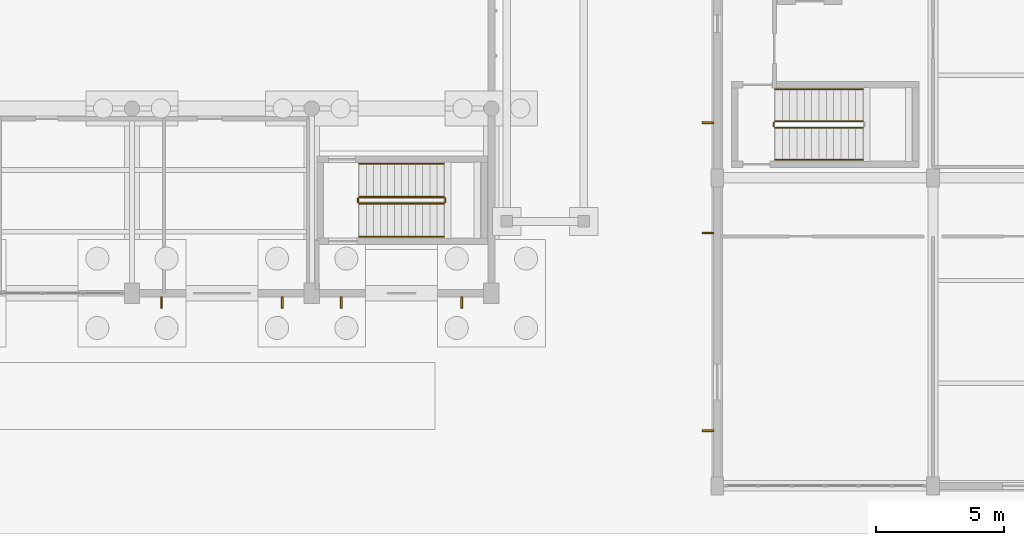
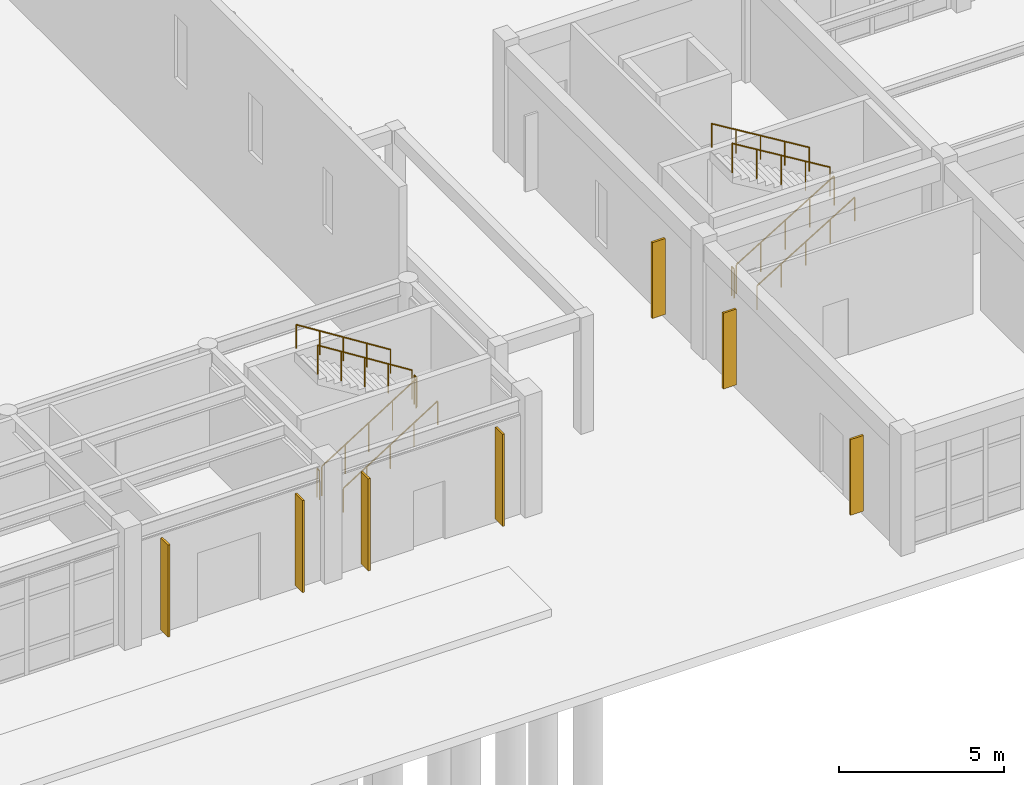
# One storey, part 136 of 154: 11 railings, 7 shading devices.
"""IFC4 building model written with IfcOpenShell, lengths in metres."""

from ifc_helpers import new_model, si_unit, direction, frame, origin, origin_2d, place, context, subcontext, project, spatial, rectangle, circle, extrude, material, layer, layer_set, type_object, element, save


model = new_model("IFC4")

# Units and contexts
model_context = context("Model", 3, precision=1e-05, world=origin(), true_north=direction((0.0, 1.0)))
body_context = subcontext(model_context, "Body", "Model", "MODEL_VIEW")
ifc_project = project(units=[si_unit("LENGTHUNIT", "METRE"), si_unit("AREAUNIT", "SQUARE_METRE"), si_unit("VOLUMEUNIT", "CUBIC_METRE"), si_unit("PLANEANGLEUNIT", "RADIAN"), si_unit("MASSUNIT", "GRAM", prefix="KILO")], contexts=[model_context])

# Site, building, storey
site_placement = place(None, origin())
site = spatial("IfcSite", under=ifc_project, at=site_placement, CompositionType="ELEMENT")
building_placement = place(site_placement, origin())
building = spatial("IfcBuilding", under=site, at=building_placement, Name="Kestramere Prow Commons", CompositionType="ELEMENT")
storey_placement = place(building_placement, origin())
storey = spatial("IfcBuildingStorey", under=building, at=storey_placement, Name="L00", CompositionType="ELEMENT", Elevation=0.0)

# Railings
ifc_material_1 = material(Name="Galvanised Steel S275JR", Category="steel")
railing_type_1 = type_object("IfcRailingType", Name="RL-ST-GR-1100", PredefinedType="GUARDRAIL", material=ifc_material_1)
railing_1_placement = place(storey_placement, frame((46.050048828125, 11.0, 0.173095703125)))
element("IfcRailing", 1, at=railing_1_placement, inside=storey, type_object=railing_type_1, Name="L00 ST-H2 stair guard 1", PredefinedType="GUARDRAIL", context=body_context, shape_type="SweptSolid", body=[
    extrude(circle(Radius=0.02392578125, at=origin_2d()), frame((0.0, 0.0, 1.076171875), z_axis=(0.846337383501, 0.0, 0.532647194011), x_axis=(0.0, 1.0, 0.0)), (0.0, 0.0, 1.0), 3.899169921875),
    extrude(circle(Radius=0.02099609375, at=origin_2d()), origin(), (0.0, 0.0, 1.0), 1.052001953125),
    extrude(circle(Radius=0.02099609375, at=origin_2d()), frame((0.824951171875, 0.0, 0.519287109375)), (0.0, 0.0, 1.0), 1.052001953125),
    extrude(circle(Radius=0.02099609375, at=origin_2d()), frame((1.64990234375, 0.0, 1.03857421875)), (0.0, 0.0, 1.0), 1.052001953125),
    extrude(circle(Radius=0.02099609375, at=origin_2d()), frame((2.47509765625, 0.0, 1.5576171875)), (0.0, 0.0, 1.0), 1.052001953125),
    extrude(circle(Radius=0.02099609375, at=origin_2d()), frame((3.300048828125, 0.0, 2.076904296875)), (0.0, 0.0, 1.0), 1.052001953125),
])
railing_2_placement = place(storey_placement, frame((49.39990234375, 11.050048828125, 2.25)))
element("IfcRailing", 2, at=railing_2_placement, inside=storey, type_object=railing_type_1, Name="L00 ST-H2 stair guard 2", PredefinedType="GUARDRAIL", context=body_context, shape_type="SweptSolid", body=[
    extrude(circle(Radius=0.02392578125, at=origin_2d()), frame((0.0, 0.0, 1.076171875), z_axis=(0.0, 1.0, 0.0), x_axis=(-1.0, 0.0, 0.0)), (0.0, 0.0, 1.0), 0.14990234375),
    extrude(circle(Radius=0.02099609375, at=origin_2d()), origin(), (0.0, 0.0, 1.0), 1.052001953125),
    extrude(circle(Radius=0.02099609375, at=origin_2d()), frame((0.0, 0.14990234375, 0.0)), (0.0, 0.0, 1.0), 1.052001953125),
])
railing_3_placement = place(storey_placement, frame((49.35009765625, 11.25, 2.423095703125)))
element("IfcRailing", 3, at=railing_3_placement, inside=storey, type_object=railing_type_1, Name="L00 ST-H2 stair guard 3", PredefinedType="GUARDRAIL", context=body_context, shape_type="SweptSolid", body=[
    extrude(circle(Radius=0.02392578125, at=origin_2d()), frame((0.0, 0.0, 1.076171875), z_axis=(-0.846337383501, 0.0, 0.532647194011), x_axis=(0.0, -1.0, 0.0)), (0.0, 0.0, 1.0), 3.899169921875),
    extrude(circle(Radius=0.02099609375, at=origin_2d()), origin(), (0.0, 0.0, 1.0), 1.052001953125),
    extrude(circle(Radius=0.02099609375, at=origin_2d()), frame((-0.824951171875, 0.0, 0.519287109375)), (0.0, 0.0, 1.0), 1.052001953125),
    extrude(circle(Radius=0.02099609375, at=origin_2d()), frame((-1.64990234375, 0.0, 1.03857421875)), (0.0, 0.0, 1.0), 1.052001953125),
    extrude(circle(Radius=0.02099609375, at=origin_2d()), frame((-2.47509765625, 0.0, 1.5576171875)), (0.0, 0.0, 1.0), 1.052001953125),
    extrude(circle(Radius=0.02099609375, at=origin_2d()), frame((-3.300048828125, 0.0, 2.076904296875)), (0.0, 0.0, 1.0), 1.052001953125),
])
railing_4_placement = place(storey_placement, frame((46.0, 11.050048828125, 0.0)))
element("IfcRailing", 4, at=railing_4_placement, inside=storey, type_object=railing_type_1, Name="L00 ST-H2 stair guard 4", PredefinedType="GUARDRAIL", context=body_context, shape_type="SweptSolid", body=[
    extrude(circle(Radius=0.02392578125, at=origin_2d()), frame((0.0, 0.0, 1.076171875), z_axis=(0.0, 1.0, 0.0), x_axis=(-1.0, 0.0, 0.0)), (0.0, 0.0, 1.0), 0.14990234375),
    extrude(circle(Radius=0.02099609375, at=origin_2d()), origin(), (0.0, 0.0, 1.0), 1.052001953125),
    extrude(circle(Radius=0.02099609375, at=origin_2d()), frame((0.0, 0.14990234375, 0.0)), (0.0, 0.0, 1.0), 1.052001953125),
])
railing_5_placement = place(storey_placement, frame((62.25, 13.949951171875, 0.173095703125)))
element("IfcRailing", 5, at=railing_5_placement, inside=storey, type_object=railing_type_1, Name="L00 ST-M1 stair guard 1", PredefinedType="GUARDRAIL", context=body_context, shape_type="SweptSolid", body=[
    extrude(circle(Radius=0.02392578125, at=origin_2d()), frame((0.0, 0.0, 1.076171875), z_axis=(0.854729506542, 0.0, 0.519073665916), x_axis=(0.0, 1.0, 0.0)), (0.0, 0.0, 1.0), 4.001220703125),
    extrude(circle(Radius=0.02099609375, at=origin_2d()), origin(), (0.0, 0.0, 1.0), 1.052001953125),
    extrude(circle(Radius=0.02099609375, at=origin_2d()), frame((0.85498046875, 0.0, 0.519287109375)), (0.0, 0.0, 1.0), 1.052001953125),
    extrude(circle(Radius=0.02099609375, at=origin_2d()), frame((1.7099609375, 0.0, 1.03857421875)), (0.0, 0.0, 1.0), 1.052001953125),
    extrude(circle(Radius=0.02099609375, at=origin_2d()), frame((2.56494140625, 0.0, 1.5576171875)), (0.0, 0.0, 1.0), 1.052001953125),
    extrude(circle(Radius=0.02099609375, at=origin_2d()), frame((3.419921875, 0.0, 2.076904296875)), (0.0, 0.0, 1.0), 1.052001953125),
])
railing_6_placement = place(storey_placement, frame((65.669921875, 14.199951171875, 2.423095703125)))
element("IfcRailing", 6, at=railing_6_placement, inside=storey, type_object=railing_type_1, Name="L00 ST-M1 stair guard 3", PredefinedType="GUARDRAIL", context=body_context, shape_type="SweptSolid", body=[
    extrude(circle(Radius=0.02392578125, at=origin_2d()), frame((0.0, 0.0, 1.076171875), z_axis=(-0.854729506542, 0.0, 0.519073665916), x_axis=(0.0, -1.0, 0.0)), (0.0, 0.0, 1.0), 4.001220703125),
    extrude(circle(Radius=0.02099609375, at=origin_2d()), origin(), (0.0, 0.0, 1.0), 1.052001953125),
    extrude(circle(Radius=0.02099609375, at=origin_2d()), frame((-0.85498046875, 0.0, 0.519287109375)), (0.0, 0.0, 1.0), 1.052001953125),
    extrude(circle(Radius=0.02099609375, at=origin_2d()), frame((-1.7099609375, 0.0, 1.03857421875)), (0.0, 0.0, 1.0), 1.052001953125),
    extrude(circle(Radius=0.02099609375, at=origin_2d()), frame((-2.56494140625, 0.0, 1.5576171875)), (0.0, 0.0, 1.0), 1.052001953125),
    extrude(circle(Radius=0.02099609375, at=origin_2d()), frame((-3.419921875, 0.0, 2.076904296875)), (0.0, 0.0, 1.0), 1.052001953125),
])
railing_7_placement = place(storey_placement, frame((62.199951171875, 14.0, 0.0)))
element("IfcRailing", 7, at=railing_7_placement, inside=storey, type_object=railing_type_1, Name="L00 ST-M1 stair guard 4", PredefinedType="GUARDRAIL", context=body_context, shape_type="SweptSolid", body=[
    extrude(circle(Radius=0.02392578125, at=origin_2d()), frame((0.0, 0.0, 1.076171875), z_axis=(0.0, 1.0, 0.0), x_axis=(-1.0, 0.0, 0.0)), (0.0, 0.0, 1.0), 0.14990234375),
    extrude(circle(Radius=0.02099609375, at=origin_2d()), origin(), (0.0, 0.0, 1.0), 1.052001953125),
    extrude(circle(Radius=0.02099609375, at=origin_2d()), frame((0.0, 0.14990234375, 0.0)), (0.0, 0.0, 1.0), 1.052001953125),
])
ifc_material_2 = material(Name="Stainless Steel 304", Category="steel")
railing_type_2 = type_object("IfcRailingType", Name="RL-ST-HR-900", PredefinedType="HANDRAIL", material=ifc_material_2)
railing_8_placement = place(storey_placement, frame((46.050048828125, 9.699951171875, 0.34619140625)))
element("IfcRailing", 8, at=railing_8_placement, inside=storey, type_object=railing_type_2, Name="L00 ST-H2 stair handrail 1", PredefinedType="HANDRAIL", context=body_context, shape_type="SweptSolid", body=[
    extrude(circle(Radius=0.02392578125, at=origin_2d()), frame((0.0, 0.0, 0.8759765625), z_axis=(0.846337383501, 0.0, 0.532647194011), x_axis=(0.0, 1.0, 0.0)), (0.0, 0.0, 1.0), 3.899169921875),
    extrude(circle(Radius=0.02099609375, at=origin_2d()), origin(), (0.0, 0.0, 1.0), 0.851806640625),
    extrude(circle(Radius=0.02099609375, at=origin_2d()), frame((0.824951171875, 0.0, 0.519287109375)), (0.0, 0.0, 1.0), 0.851806640625),
    extrude(circle(Radius=0.02099609375, at=origin_2d()), frame((1.64990234375, 0.0, 1.03857421875)), (0.0, 0.0, 1.0), 0.851806640625),
    extrude(circle(Radius=0.02099609375, at=origin_2d()), frame((2.47509765625, 0.0, 1.5576171875)), (0.0, 0.0, 1.0), 0.851806640625),
    extrude(circle(Radius=0.02099609375, at=origin_2d()), frame((3.300048828125, 0.0, 2.076904296875)), (0.0, 0.0, 1.0), 0.851806640625),
])
railing_9_placement = place(storey_placement, frame((49.35009765625, 12.550048828125, 2.59619140625)))
element("IfcRailing", 9, at=railing_9_placement, inside=storey, type_object=railing_type_2, Name="L00 ST-H2 stair handrail 2", PredefinedType="HANDRAIL", context=body_context, shape_type="SweptSolid", body=[
    extrude(circle(Radius=0.02392578125, at=origin_2d()), frame((0.0, 0.0, 0.8759765625), z_axis=(-0.846337383501, 0.0, 0.532647194011), x_axis=(0.0, -1.0, 0.0)), (0.0, 0.0, 1.0), 3.899169921875),
    extrude(circle(Radius=0.02099609375, at=origin_2d()), origin(), (0.0, 0.0, 1.0), 0.851806640625),
    extrude(circle(Radius=0.02099609375, at=origin_2d()), frame((-0.824951171875, 0.0, 0.519287109375)), (0.0, 0.0, 1.0), 0.851806640625),
    extrude(circle(Radius=0.02099609375, at=origin_2d()), frame((-1.64990234375, 0.0, 1.03857421875)), (0.0, 0.0, 1.0), 0.851806640625),
    extrude(circle(Radius=0.02099609375, at=origin_2d()), frame((-2.47509765625, 0.0, 1.5576171875)), (0.0, 0.0, 1.0), 0.851806640625),
    extrude(circle(Radius=0.02099609375, at=origin_2d()), frame((-3.300048828125, 0.0, 2.076904296875)), (0.0, 0.0, 1.0), 0.851806640625),
])
railing_10_placement = place(storey_placement, frame((62.25, 12.699951171875, 0.34619140625)))
element("IfcRailing", 10, at=railing_10_placement, inside=storey, type_object=railing_type_2, Name="L00 ST-M1 stair handrail 1", PredefinedType="HANDRAIL", context=body_context, shape_type="SweptSolid", body=[
    extrude(circle(Radius=0.02392578125, at=origin_2d()), frame((0.0, 0.0, 0.8759765625), z_axis=(0.854729506542, 0.0, 0.519073665916), x_axis=(0.0, 1.0, 0.0)), (0.0, 0.0, 1.0), 4.001220703125),
    extrude(circle(Radius=0.02099609375, at=origin_2d()), origin(), (0.0, 0.0, 1.0), 0.851806640625),
    extrude(circle(Radius=0.02099609375, at=origin_2d()), frame((0.85498046875, 0.0, 0.519287109375)), (0.0, 0.0, 1.0), 0.851806640625),
    extrude(circle(Radius=0.02099609375, at=origin_2d()), frame((1.7099609375, 0.0, 1.03857421875)), (0.0, 0.0, 1.0), 0.851806640625),
    extrude(circle(Radius=0.02099609375, at=origin_2d()), frame((2.56494140625, 0.0, 1.5576171875)), (0.0, 0.0, 1.0), 0.851806640625),
    extrude(circle(Radius=0.02099609375, at=origin_2d()), frame((3.419921875, 0.0, 2.076904296875)), (0.0, 0.0, 1.0), 0.851806640625),
])
railing_11_placement = place(storey_placement, frame((65.669921875, 15.449951171875, 2.59619140625)))
element("IfcRailing", 11, at=railing_11_placement, inside=storey, type_object=railing_type_2, Name="L00 ST-M1 stair handrail 2", PredefinedType="HANDRAIL", context=body_context, shape_type="SweptSolid", body=[
    extrude(circle(Radius=0.02392578125, at=origin_2d()), frame((0.0, 0.0, 0.8759765625), z_axis=(-0.854729506542, 0.0, 0.519073665916), x_axis=(0.0, -1.0, 0.0)), (0.0, 0.0, 1.0), 4.001220703125),
    extrude(circle(Radius=0.02099609375, at=origin_2d()), origin(), (0.0, 0.0, 1.0), 0.851806640625),
    extrude(circle(Radius=0.02099609375, at=origin_2d()), frame((-0.85498046875, 0.0, 0.519287109375)), (0.0, 0.0, 1.0), 0.851806640625),
    extrude(circle(Radius=0.02099609375, at=origin_2d()), frame((-1.7099609375, 0.0, 1.03857421875)), (0.0, 0.0, 1.0), 0.851806640625),
    extrude(circle(Radius=0.02099609375, at=origin_2d()), frame((-2.56494140625, 0.0, 1.5576171875)), (0.0, 0.0, 1.0), 0.851806640625),
    extrude(circle(Radius=0.02099609375, at=origin_2d()), frame((-3.419921875, 0.0, 2.076904296875)), (0.0, 0.0, 1.0), 0.851806640625),
])

# Shading devices
ifc_material_3 = material(Name="Weathered Bronze-Anodised Aluminium", Category="aluminium")
ifc_layer = layer(ifc_material_3, 0.074951171875)
ifc_layer_set = layer_set([ifc_layer], Name="Weathered Bronze-Anodised Aluminium")
shading_device_type = type_object("IfcShadingDeviceType", Name="SHD-VFIN-450", PredefinedType="USERDEFINED", material=ifc_layer_set)
for number, where, z_axis, x_axis, name in (
    (12, (38.35009765625, 7.135009765625, 0.1201171875), (0.0, 0.0, 1.0), (1.0, 0.0, 0.0), "Hall Entrance Vertical Fin 6-1"),
    (13, (43.050048828125, 7.135009765625, 0.1201171875), (0.0, 0.0, 1.0), (1.0, 0.0, 0.0), "Hall Entrance Vertical Fin 6-2"),
    (14, (45.35009765625, 7.135009765625, 0.1201171875), (0.0, 0.0, 1.0), (1.0, 0.0, 0.0), "Hall Entrance Vertical Fin 7-1"),
    (15, (50.050048828125, 7.135009765625, 0.1201171875), (0.0, 0.0, 1.0), (1.0, 0.0, 0.0), "Hall Entrance Vertical Fin 7-2"),
):
    element("IfcShadingDevice", number, at=place(storey_placement, frame(where, z_axis=z_axis, x_axis=x_axis)), inside=storey, type_object=shading_device_type, Name=name, ObjectType="VERTICAL FIN", PredefinedType="USERDEFINED", context=body_context, shape_type="SweptSolid", body=[
        extrude(rectangle(XDim=0.074951171875, YDim=0.449951171875, at=origin_2d()), origin(), (0.0, 0.0, 1.0), 3.39990234375),
    ])
for number, where, z_axis, x_axis, name in (
    (16, (59.635009765625, 2.14990234375, 0.14990234375), (0.0, 0.0, 1.0), (1.0, 0.0, 0.0), "Market L00 W Vertical Fin 1-1"),
    (17, (59.635009765625, 9.85009765625, 0.14990234375), (0.0, 0.0, 1.0), (1.0, 0.0, 0.0), "Market L00 W Vertical Fin 1-2"),
    (18, (59.635009765625, 14.14990234375, 0.14990234375), (0.0, 0.0, 1.0), (1.0, 0.0, 0.0), "Market L00 W Vertical Fin 2-1"),
):
    element("IfcShadingDevice", number, at=place(storey_placement, frame(where, z_axis=z_axis, x_axis=x_axis)), inside=storey, type_object=shading_device_type, Name=name, ObjectType="VERTICAL FIN", PredefinedType="USERDEFINED", context=body_context, shape_type="SweptSolid", body=[
        extrude(rectangle(XDim=0.449951171875, YDim=0.074951171875, at=origin_2d()), origin(), (0.0, 0.0, 1.0), 2.800048828125),
    ])

save(model, "model.ifc")
